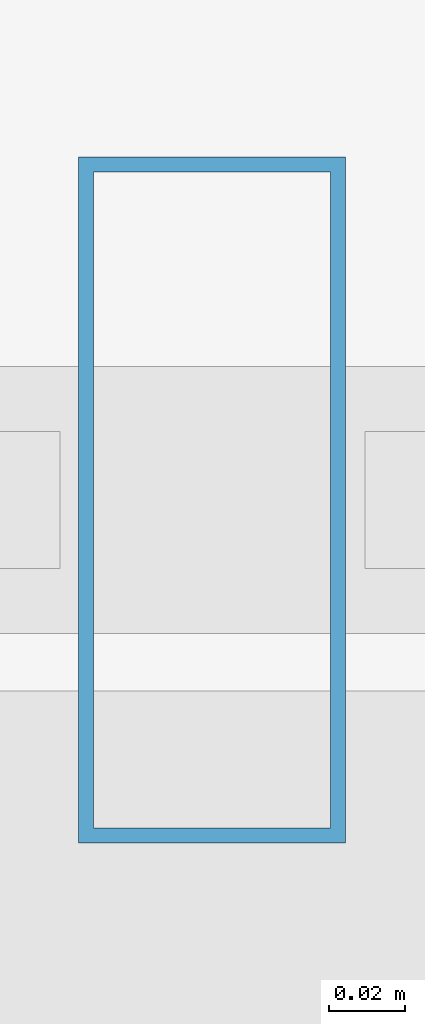
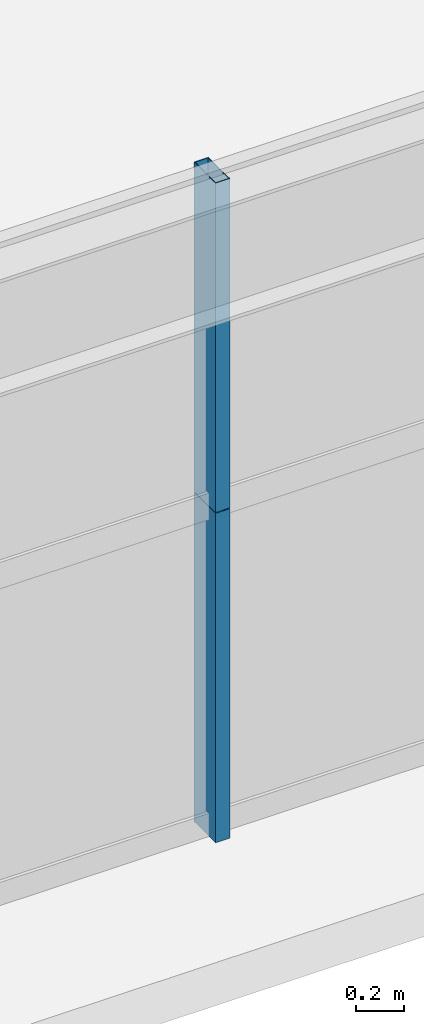
# One storey, part 7 of 43: 2 members, 1 element without a shape of its own.
"""IFC4 building model written with IfcOpenShell, lengths in metres."""

from ifc_helpers import new_model, si_unit, direction, frame, origin, origin_2d, place, context, subcontext, project, spatial, hollow_rectangle, extrude, source, transform, mapped, material, layer, layer_set, material_profile, profile_set, type_object, element, aggregate, save


model = new_model("IFC4")

# Units and contexts
model_context = context("Model", 3, precision=1e-05, world=origin(), true_north=direction((0.0, 1.0)))
body_context = subcontext(model_context, "Body", "Model", "MODEL_VIEW")
ifc_project = project(units=[si_unit("LENGTHUNIT", "METRE"), si_unit("AREAUNIT", "SQUARE_METRE"), si_unit("VOLUMEUNIT", "CUBIC_METRE"), si_unit("PLANEANGLEUNIT", "RADIAN"), si_unit("MASSUNIT", "GRAM", prefix="KILO"), si_unit("THERMODYNAMICTEMPERATUREUNIT", "KELVIN"), si_unit("POWERUNIT", "WATT")], contexts=[model_context])

# Site, building, storey
site_placement = place(None, origin())
site = spatial("IfcSite", under=ifc_project, at=site_placement, CompositionType="ELEMENT")
building_placement = place(site_placement, origin())
building = spatial("IfcBuilding", under=site, at=building_placement, Name="Yuzanri Waterfront Tower", CompositionType="ELEMENT")
storey_placement = place(building_placement, frame((0.0, 0.0, 78.39990234375)))
storey = spatial("IfcBuildingStorey", under=building, at=storey_placement, Name="L20", CompositionType="ELEMENT", Elevation=78.39990234375)

# Curtain wall, members
ifc_material_1 = material(Name="Anodized Architectural Bronze", Category="metal")
ifc_layer = layer(ifc_material_1, 0.159912109375)
ifc_layer_set = layer_set([ifc_layer], Name="Anodized Architectural Bronze")
curtain_wall_type = type_object("IfcCurtainWallType", Name="Anodized Bronze Hotel Lower-Tier Recessed Unitized Curtain Wall 8100", PredefinedType="NOTDEFINED", material=ifc_layer_set)
curtain_wall_placement = place(storey_placement, origin())
curtain_wall = element("IfcCurtainWall", 1, at=curtain_wall_placement, inside=storey, type_object=curtain_wall_type, Name="L20 Curtain Wall CW-L20-SL", PredefinedType="NOTDEFINED")
ifc_material_2 = material(Name="Anodized Architectural Bronze", Category="metal")
ifc_material_profile = material_profile(ifc_material_2, hollow_rectangle(XDim=0.070068359375, YDim=0.179931640625, WallThickness=0.00390625, at=origin_2d()), Name="CWM 70x180")
ifc_profile_set = profile_set([ifc_material_profile], Name="Anodized Architectural Bronze")
member_type = type_object("IfcMemberType", Name="Anodized Bronze Standard Curtain-Wall Mullion 70x180", PredefinedType="MULLION", material=ifc_profile_set)
shared_shape = source(origin(), body_context, "Body", "SweptSolid", [
    extrude(hollow_rectangle(XDim=0.070068359375, YDim=0.179931640625, WallThickness=0.00390625, at=origin_2d()), origin(), (0.0, 0.0, 1.0), 1.68798828125),
])
member_1_placement = place(storey_placement, frame((27.89990234375, 0.85009765625, 0.0), z_axis=(0.0, 0.0, 1.0), x_axis=(1.0, 0.0, 0.0)))
member_1 = element("IfcMember", 2, at=member_1_placement, type_object=member_type, Name="CW-L20-SL Lower Mullion 01", PredefinedType="MULLION", context=body_context, shape_type="MappedRepresentation", body=[
    mapped(shared_shape, transform((0.0, 0.0, 0.0), scale=1.0)),
])
member_2_placement = place(storey_placement, frame((27.89990234375, 0.85009765625, 1.692138671875), z_axis=(0.0, 0.0, 1.0), x_axis=(1.0, 0.0, 0.0)))
member_2 = element("IfcMember", 3, at=member_2_placement, type_object=member_type, Name="CW-L20-SL Upper Mullion 01", PredefinedType="MULLION", context=body_context, shape_type="MappedRepresentation", body=[
    mapped(shared_shape, transform((0.0, 0.0, 0.0), scale=1.0)),
])
aggregate(curtain_wall, [member_1, member_2])

save(model, "model.ifc")
